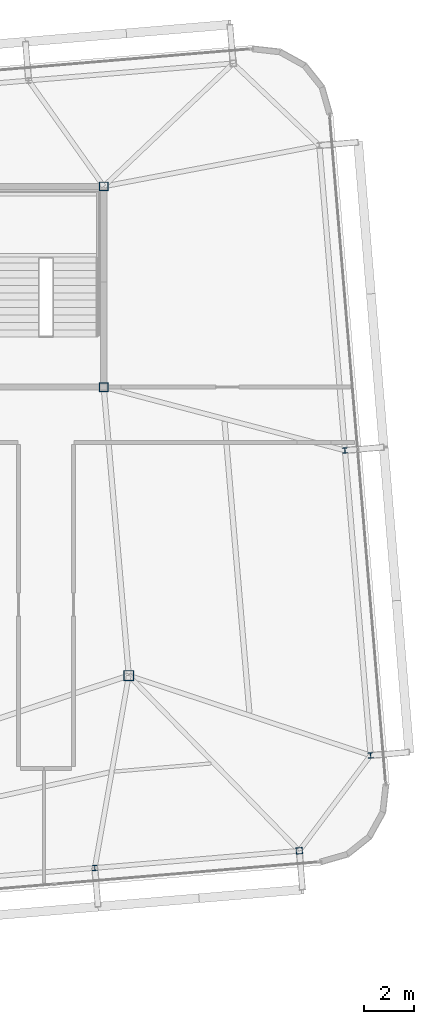
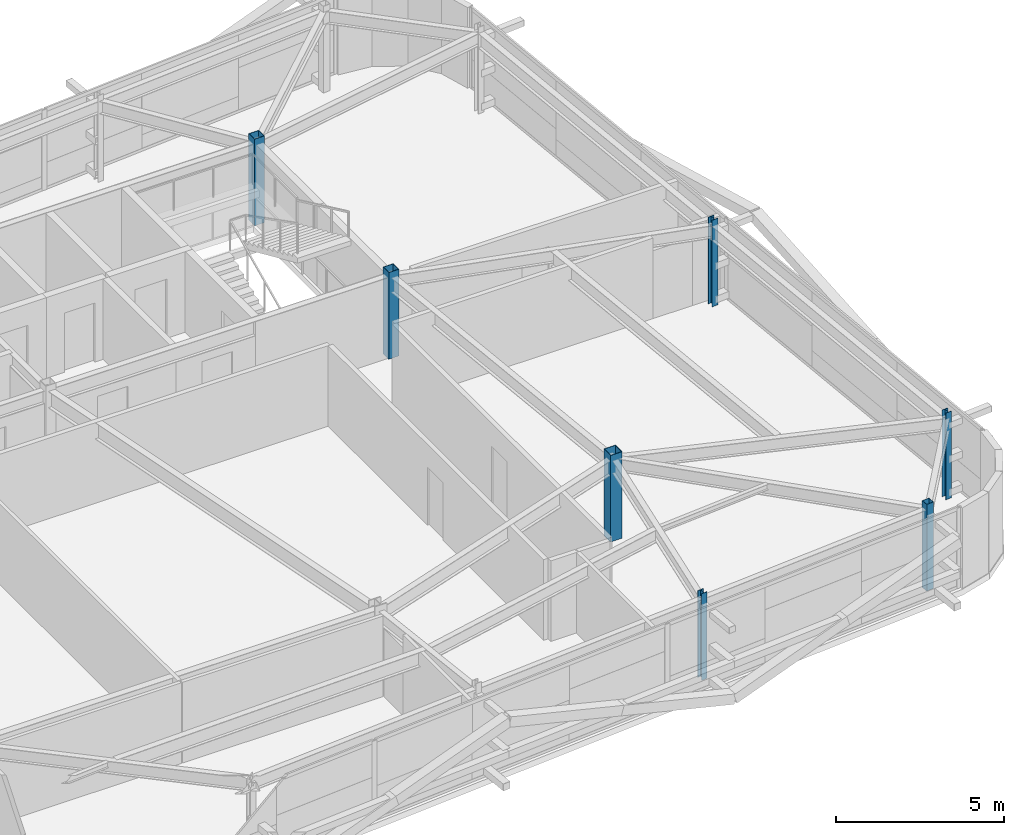
# One storey, part 4 of 39: 7 columns.
"""IFC4 building model written with IfcOpenShell, lengths in metres."""

from ifc_helpers import new_model, si_unit, direction, frame, origin, origin_2d, place, context, subcontext, project, spatial, hollow_rectangle, i_section, extrude, source, transform, mapped, material, material_profile, profile_set, type_object, element, save


model = new_model("IFC4")

# Units and contexts
model_context = context("Model", 3, precision=1e-05, world=origin(), true_north=direction((0.0, 1.0)))
body_context = subcontext(model_context, "Body", "Model", "MODEL_VIEW")
ifc_project = project(units=[si_unit("LENGTHUNIT", "METRE"), si_unit("AREAUNIT", "SQUARE_METRE"), si_unit("VOLUMEUNIT", "CUBIC_METRE"), si_unit("PLANEANGLEUNIT", "RADIAN"), si_unit("MASSUNIT", "GRAM", prefix="KILO")], contexts=[model_context])

# Site, building, storey
site_placement = place(None, origin())
site = spatial("IfcSite", under=ifc_project, at=site_placement, CompositionType="ELEMENT")
building_placement = place(site_placement, origin())
building = spatial("IfcBuilding", under=site, at=building_placement, Name="Taldren Reach Tower", CompositionType="ELEMENT")
storey_placement = place(building_placement, frame((0.0, 0.0, 197.75)))
storey = spatial("IfcBuildingStorey", under=building, at=storey_placement, Name="L60", CompositionType="ELEMENT", Elevation=197.75)

# Columns
ifc_material_1 = material(Name="Steel Gr 450 (C450L0)", Category="steel")
ifc_material_profile_1 = material_profile(ifc_material_1, hollow_rectangle(XDim=0.39990234375, YDim=0.39990234375, WallThickness=0.01611328125, at=origin_2d()), Name="400x400x16.0SHS")
ifc_profile_set_1 = profile_set([ifc_material_profile_1], Name="Steel Gr 450 (C450L0)")
column_type_1 = type_object("IfcColumnType", Name="COL-SHS400", PredefinedType="COLUMN", material=ifc_profile_set_1)
shared_shape_1 = source(origin(), body_context, "Body", "SweptSolid", [
    extrude(hollow_rectangle(XDim=0.39990234375, YDim=0.39990234375, WallThickness=0.01611328125, at=origin_2d()), origin(), (0.0, 0.0, 1.0), 3.14990234375),
])
column_1_placement = place(storey_placement, frame((52.0, 12.5, 0.0), z_axis=(0.0, 0.0, 1.0), x_axis=(1.0, 0.0, 0.0)))
element("IfcColumn", 1, at=column_1_placement, inside=storey, type_object=column_type_1, Name="Mega column MC-SE L60", PredefinedType="COLUMN", context=body_context, shape_type="MappedRepresentation", body=[
    mapped(shared_shape_1, transform((0.0, 0.0, 0.0), scale=1.0)),
])
ifc_material_profile_2 = material_profile(ifc_material_1, hollow_rectangle(XDim=0.35009765625, YDim=0.35009765625, WallThickness=0.01611328125, at=origin_2d()), Name="350x350x16.0SHS")
ifc_profile_set_2 = profile_set([ifc_material_profile_2], Name="Steel Gr 450 (C450L0)")
column_type_2 = type_object("IfcColumnType", Name="COL-SHS350", PredefinedType="COLUMN", material=ifc_profile_set_2)
shared_shape_2 = source(origin(), body_context, "Body", "SweptSolid", [
    extrude(hollow_rectangle(XDim=0.35009765625, YDim=0.35009765625, WallThickness=0.01611328125, at=origin_2d()), origin(), (0.0, 0.0, 1.0), 3.14990234375),
])
for number, where, z_axis, x_axis, name in (
    (2, (51.0, 24.0, 0.0), (0.0, 0.0, 1.0), (1.0, 0.0, 0.0), "Mega column MC-C4 L60"),
    (3, (51.0, 32.0, 0.0), (0.0, 0.0, 1.0), (1.0, 0.0, 0.0), "Mega column MC-C8 L60"),
):
    element("IfcColumn", number, at=place(storey_placement, frame(where, z_axis=z_axis, x_axis=x_axis)), inside=storey, type_object=column_type_2, Name=name, PredefinedType="COLUMN", context=body_context, shape_type="MappedRepresentation", body=[
        mapped(shared_shape_2, transform((0.0, 0.0, 0.0), scale=1.0)),
    ])
ifc_material_2 = material(Name="Steel Gr 350 (C350L0)", Category="steel")
ifc_material_profile_3 = material_profile(ifc_material_2, hollow_rectangle(XDim=0.25, YDim=0.25, WallThickness=0.010009765625, at=origin_2d()), Name="250x250x10.0SHS")
ifc_profile_set_3 = profile_set([ifc_material_profile_3], Name="Steel Gr 350 (C350L0)")
column_type_3 = type_object("IfcColumnType", Name="COL-SHS250", PredefinedType="COLUMN", material=ifc_profile_set_3)
shared_shape_3 = source(origin(), body_context, "Body", "SweptSolid", [
    extrude(hollow_rectangle(XDim=0.25, YDim=0.25, WallThickness=0.010009765625, at=origin_2d()), origin(), (0.0, 0.0, 1.0), 3.14990234375),
])
column_2_placement = place(storey_placement, frame((58.796142578125, 5.516357421875, 0.0), z_axis=(0.0, 0.0, 1.0), x_axis=(0.99649285925, 0.083677843332, 0.0)))
element("IfcColumn", 4, at=column_2_placement, inside=storey, type_object=column_type_3, Name="Block B4 perimeter column S6 L60", PredefinedType="COLUMN", context=body_context, shape_type="MappedRepresentation", body=[
    mapped(shared_shape_3, transform((0.0, 0.0, 0.0), scale=1.0)),
])
ifc_material_3 = material(Name="Steel Gr 350 (350PLUS)", Category="steel")
ifc_material_profile_4 = material_profile(ifc_material_3, i_section(OverallWidth=0.205078125, OverallDepth=0.2099609375, WebThickness=0.00927734375, FlangeThickness=0.01416015625, at=origin_2d()), Name="200UC59.5")
ifc_profile_set_4 = profile_set([ifc_material_profile_4], Name="Steel Gr 350 (350PLUS)")
column_type_4 = type_object("IfcColumnType", Name="COL-UC200", PredefinedType="COLUMN", material=ifc_profile_set_4)
shared_shape_4 = source(origin(), body_context, "Body", "SweptSolid", [
    extrude(i_section(OverallWidth=0.205078125, OverallDepth=0.2099609375, WebThickness=0.00927734375, FlangeThickness=0.01416015625, at=origin_2d()), origin(), (0.0, 0.0, 1.0), 3.14990234375),
])
for number, where, z_axis, x_axis, name in (
    (5, (50.644775390625, 4.83203125, 0.0), (0.0, 0.0, 1.0), (0.99649285925, 0.083677843332, 0.0), "Block B4 perimeter column S5 L60"),
    (6, (61.63818359375, 9.317626953125, 0.0), (0.0, 0.0, 1.0), (0.99649285925, 0.083677843332, 0.0), "Block B4 perimeter column E1 L60"),
    (7, (60.6171875, 21.474853515625, 0.0), (0.0, 0.0, 1.0), (0.99649285925, 0.083677843332, 0.0), "Block B4 perimeter column E2 L60"),
):
    element("IfcColumn", number, at=place(storey_placement, frame(where, z_axis=z_axis, x_axis=x_axis)), inside=storey, type_object=column_type_4, Name=name, PredefinedType="COLUMN", context=body_context, shape_type="MappedRepresentation", body=[
        mapped(shared_shape_4, transform((0.0, 0.0, 0.0), scale=1.0)),
    ])

save(model, "model.ifc")
